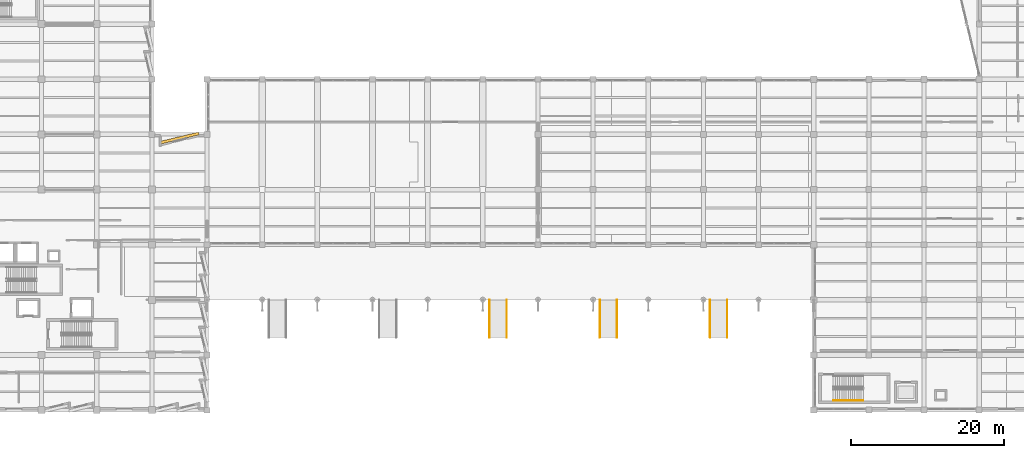
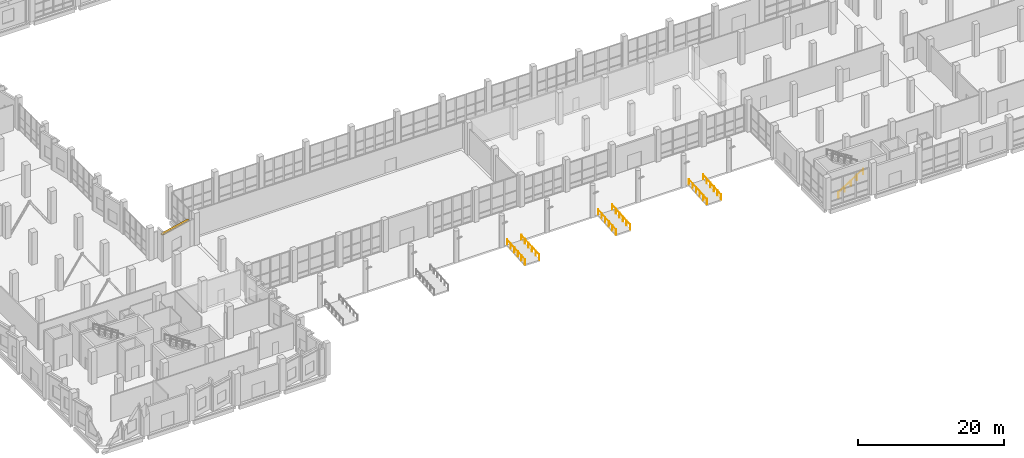
# One storey, part 123 of 137: 7 railings, 1 shading device.
"""IFC4 building model written with IfcOpenShell, lengths in metres."""

from ifc_helpers import new_model, si_unit, direction, frame, origin, origin_2d, place, context, subcontext, project, spatial, rectangle, circle, extrude, material, layer, layer_set, type_object, element, save


model = new_model("IFC4")

# Units and contexts
model_context = context("Model", 3, precision=1e-05, world=origin(), true_north=direction((0.0, 1.0)))
body_context = subcontext(model_context, "Body", "Model", "MODEL_VIEW")
ifc_project = project(units=[si_unit("LENGTHUNIT", "METRE"), si_unit("AREAUNIT", "SQUARE_METRE"), si_unit("VOLUMEUNIT", "CUBIC_METRE"), si_unit("PLANEANGLEUNIT", "RADIAN"), si_unit("MASSUNIT", "GRAM", prefix="KILO")], contexts=[model_context])

# Site, building, storey
site_placement = place(None, origin())
site = spatial("IfcSite", under=ifc_project, at=site_placement, CompositionType="ELEMENT")
building_placement = place(site_placement, origin())
building = spatial("IfcBuilding", under=site, at=building_placement, Name="Kalmorath City Hall", CompositionType="ELEMENT")
storey_placement = place(building_placement, origin())
storey = spatial("IfcBuildingStorey", under=building, at=storey_placement, Name="L00", CompositionType="ELEMENT", Elevation=0.0)

# Shading device
ifc_material_1 = material(Name="Precast concrete C40/50", Category="concrete")
ifc_layer = layer(ifc_material_1, 0.179931640625)
ifc_layer_set = layer_set([ifc_layer], Name="Precast concrete C40/50")
shading_device_type = type_object("IfcShadingDeviceType", Name="Precast sawtooth brow sunshade 350", PredefinedType="USERDEFINED", material=ifc_layer_set)
shading_device_placement = place(storey_placement, frame((32.4462890625, 35.5263671875, 4.201171875), z_axis=(0.0, 0.0, 1.0), x_axis=(0.972369920398, 0.233445363856, 0.0)))
element("IfcShadingDevice", 1, at=shading_device_placement, inside=storey, type_object=shading_device_type, Name="L00 precast sawtooth hood #85", ObjectType="SUNSHADE", PredefinedType="USERDEFINED", context=body_context, shape_type="SweptSolid", body=[
    extrude(rectangle(XDim=5.086181640625, YDim=0.360107421875, at=origin_2d()), origin(), (0.0, 0.0, 1.0), 0.179931640625),
])

# Railings
ifc_material_2 = material(Name="Stainless steel handrail", Category="steel")
railing_type_1 = type_object("IfcRailingType", Name="Ramp accessibility handrail 920", PredefinedType="HANDRAIL", material=ifc_material_2)
for number, where, name in (
    (2, (72.8798828125, 9.5, -0.35009765625), "Entrance ramp 3 handrail W"),
    (3, (75.1201171875, 9.5, -0.35009765625), "Entrance ramp 3 handrail E"),
    (4, (87.280029296875, 9.5, -0.35009765625), "Entrance ramp 4 handrail W"),
    (5, (89.52001953125, 9.5, -0.35009765625), "Entrance ramp 4 handrail E"),
    (6, (101.679931640625, 9.5, -0.35009765625), "Entrance ramp 5 handrail W"),
    (7, (103.919921875, 9.5, -0.35009765625), "Entrance ramp 5 handrail E"),
):
    element("IfcRailing", number, at=place(storey_placement, frame(where)), inside=storey, type_object=railing_type_1, Name=name, PredefinedType="HANDRAIL", context=body_context, shape_type="SweptSolid", body=[
        extrude(circle(Radius=0.02392578125, at=origin_2d()), frame((0.0, 0.0, 0.89599609375), z_axis=(0.0, 0.997457185933, 0.071268241387), x_axis=(-1.0, 0.0, 0.0)), (0.0, 0.0, 1.0), 4.912353515625),
        extrude(circle(Radius=0.02099609375, at=origin_2d()), origin(), (0.0, 0.0, 1.0), 0.871826171875),
        extrude(circle(Radius=0.02099609375, at=origin_2d()), frame((0.0, 0.97998046875, 0.070068359375)), (0.0, 0.0, 1.0), 0.871826171875),
        extrude(circle(Radius=0.02099609375, at=origin_2d()), frame((0.0, 1.9599609375, 0.14013671875)), (0.0, 0.0, 1.0), 0.871826171875),
        extrude(circle(Radius=0.02099609375, at=origin_2d()), frame((0.0, 2.93994140625, 0.2099609375)), (0.0, 0.0, 1.0), 0.871826171875),
        extrude(circle(Radius=0.02099609375, at=origin_2d()), frame((0.0, 3.919921875, 0.280029296875)), (0.0, 0.0, 1.0), 0.871826171875),
        extrude(circle(Radius=0.02099609375, at=origin_2d()), frame((0.0, 4.89990234375, 0.35009765625)), (0.0, 0.0, 1.0), 0.871826171875),
    ])
ifc_material_3 = material(Name="Brushed stainless steel handrail", Category="steel")
railing_type_2 = type_object("IfcRailingType", Name="Stair pitch handrail 900", PredefinedType="HANDRAIL", material=ifc_material_3)
railing_placement = place(storey_placement, frame((117.75, 1.25, 0.179931640625)))
element("IfcRailing", 8, at=railing_placement, inside=storey, type_object=railing_type_2, Name="L00 ST-5 stair handrail 1", PredefinedType="HANDRAIL", context=body_context, shape_type="SweptSolid", body=[
    extrude(circle(Radius=0.02392578125, at=origin_2d()), frame((0.0, 0.0, 0.8759765625), z_axis=(0.841171666519, 0.0, 0.540768182723), x_axis=(0.0, 1.0, 0.0)), (0.0, 0.0, 1.0), 4.66015625),
    extrude(circle(Radius=0.02099609375, at=origin_2d()), origin(), (0.0, 0.0, 1.0), 0.851806640625),
    extrude(circle(Radius=0.02099609375, at=origin_2d()), frame((0.97998046875, 0.0, 0.6298828125)), (0.0, 0.0, 1.0), 0.851806640625),
    extrude(circle(Radius=0.02099609375, at=origin_2d()), frame((1.9599609375, 0.0, 1.260009765625)), (0.0, 0.0, 1.0), 0.851806640625),
    extrude(circle(Radius=0.02099609375, at=origin_2d()), frame((2.93994140625, 0.0, 1.89013671875)), (0.0, 0.0, 1.0), 0.851806640625),
    extrude(circle(Radius=0.02099609375, at=origin_2d()), frame((3.919921875, 0.0, 2.52001953125)), (0.0, 0.0, 1.0), 0.851806640625),
])

save(model, "model.ifc")
